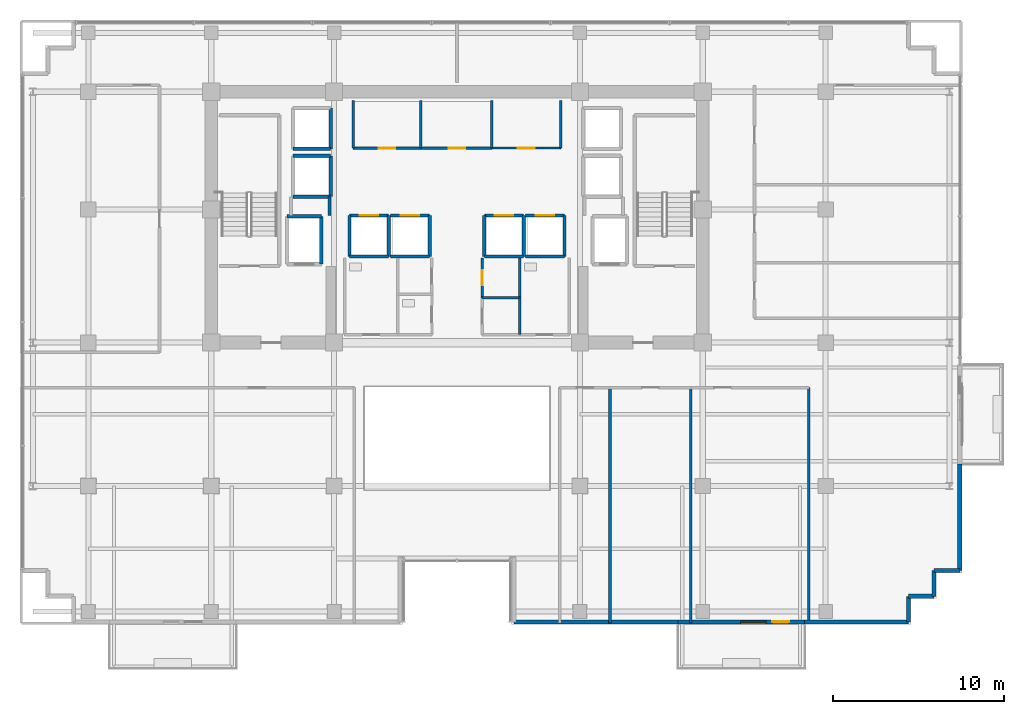
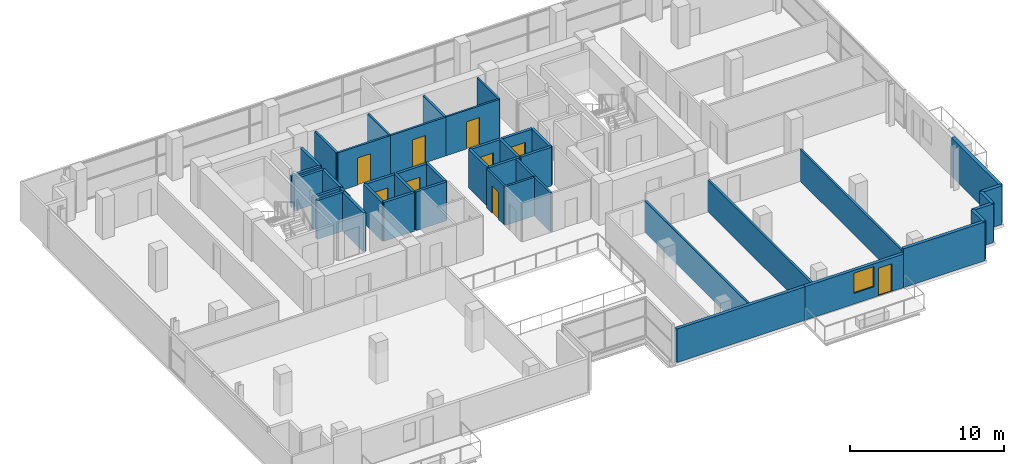
# One storey, part 18 of 24: 44 walls, 9 doors, 1 window, 10 openings.
"""IFC4 building model written with IfcOpenShell, lengths in metres."""

from ifc_helpers import new_model, si_unit, direction, frame, frame_2d, origin, place, context, subcontext, project, spatial, rectangle, extrude, source, transform, mapped, material, layer, layer_set, type_object, element, fill, save


model = new_model("IFC4")

# Units and contexts
model_context = context("Model", 3, precision=1e-05, world=origin(), true_north=direction((0.0, 1.0)))
body_context = subcontext(model_context, "Body", "Model", "MODEL_VIEW")
ifc_project = project(units=[si_unit("LENGTHUNIT", "METRE"), si_unit("AREAUNIT", "SQUARE_METRE"), si_unit("VOLUMEUNIT", "CUBIC_METRE"), si_unit("PLANEANGLEUNIT", "RADIAN"), si_unit("MASSUNIT", "GRAM", prefix="KILO")], contexts=[model_context])

# Site, building, storey
site_placement = place(None, origin())
site = spatial("IfcSite", under=ifc_project, at=site_placement, CompositionType="ELEMENT")
building_placement = place(site_placement, origin())
building = spatial("IfcBuilding", under=site, at=building_placement, Name="Zarnakvel Exchange Tower", CompositionType="ELEMENT")
storey_placement = place(building_placement, frame((0.0, 0.0, 133.0)))
storey = spatial("IfcBuildingStorey", under=building, at=storey_placement, Name="L37", CompositionType="ELEMENT", Elevation=133.0)

# Wall, openings, door, window
ifc_material_1 = material(Name="Precast concrete C40/50", Category="concrete")
ifc_layer_1 = layer(ifc_material_1, 0.239990234375)
ifc_layer_set_1 = layer_set([ifc_layer_1], Name="Precast concrete C40/50")
wall_type_1 = type_object("IfcWallType", Name="EW-02", PredefinedType="SOLIDWALL", material=ifc_layer_set_1)
wall_1_placement = place(storey_placement, frame((20.35009765625, -17.56005859375, 0.0), z_axis=(0.0, 0.0, 1.0), x_axis=(-1.0, 0.0, 0.0)))
wall_1 = element("IfcWall", 1, at=wall_1_placement, inside=storey, type_object=wall_type_1, Name="L37 Exterior Precast Spandrel Wall EW-BAL-L37-SE (EW-02)", PredefinedType="SOLIDWALL", context=body_context, shape_type="SweptSolid", body=[
    extrude(rectangle(XDim=7.400146484375, YDim=0.239990234375, at=frame_2d((3.7001953125, 0.0))), origin(), (0.0, 0.0, 1.0), 2.6650390625),
])
opening_1_placement = place(wall_1_placement, frame((0.887939453125, 0.0, 0.0)))
opening_1 = element("IfcOpeningElement", 2, at=opening_1_placement, cuts=wall_1, Name="Opening BD-L37-02", PredefinedType="OPENING", context=body_context, shape_type="SweptSolid", body=[
    extrude(rectangle(XDim=1.0, YDim=2.199951171875, at=frame_2d((0.5, 1.10009765625))), frame((0.0, 0.1298828125, 0.0), z_axis=(0.0, -1.0, 0.0), x_axis=(1.0, 0.0, 0.0)), (0.0, 0.0, 1.0), 0.260009765625),
])
opening_2_placement = place(wall_1_placement, frame((2.238037109375, 0.0, 0.85009765625)))
opening_2 = element("IfcOpeningElement", 3, at=opening_2_placement, cuts=wall_1, Name="Opening WN-03", PredefinedType="OPENING", context=body_context, shape_type="SweptSolid", body=[
    extrude(rectangle(XDim=1.5, YDim=1.60009765625, at=frame_2d((0.75, 0.800048828125))), frame((0.0, 0.1298828125, 0.0), z_axis=(0.0, -1.0, 0.0), x_axis=(1.0, 0.0, 0.0)), (0.0, 0.0, 1.0), 0.260009765625),
])
ifc_material_2 = material(Name="Architectural Bronze Anodised Aluminium", Category="aluminium")
door_type_1 = type_object("IfcDoorType", Name="DT-09", OperationType="NOTDEFINED", PredefinedType="DOOR", material=ifc_material_2)
shared_shape_1 = source(origin(), body_context, "Body", "SweptSolid", [
    extrude(rectangle(XDim=1.0, YDim=2.199951171875, at=frame_2d((0.5, 1.10009765625))), frame((0.0, 0.02490234375, 0.0), z_axis=(0.0, -1.0, 0.0), x_axis=(1.0, 0.0, 0.0)), (0.0, 0.0, 1.0), 0.050048828125),
])
door_1_placement = place(opening_1_placement, origin())
door_1 = element("IfcDoor", 4, at=door_1_placement, inside=storey, type_object=door_type_1, Name="L37 Planted Loggia Balcony Door BD-L37-02", OperationType="SINGLE_SWING_RIGHT", OverallHeight=2.199951171875, OverallWidth=1.0, PredefinedType="DOOR", context=body_context, shape_type="MappedRepresentation", body=[
    mapped(shared_shape_1, transform((0.0, 0.0, 0.0), x_axis=(1.0, 0.0, 0.0), y_axis=(0.0, 1.0, 0.0), z_axis=(0.0, 0.0, 1.0), scale=1.0)),
])
fill(opening_1, door_1)
ifc_material_3 = material(Name="Double Low-E Laminated Vision Glass", Category="glass")
window_type = type_object("IfcWindowType", Name="WN-03", PartitioningType="SINGLE_PANEL", PredefinedType="WINDOW", material=ifc_material_3)
shared_shape_2 = source(origin(), body_context, "Body", "SweptSolid", [
    extrude(rectangle(XDim=1.5, YDim=1.60009765625, at=frame_2d((0.75, 0.800048828125))), frame((0.0, 0.030029296875, 0.0), z_axis=(0.0, -1.0, 0.0), x_axis=(1.0, 0.0, 0.0)), (0.0, 0.0, 1.0), 0.06005859375),
])
window_placement = place(opening_2_placement, origin())
window = element("IfcWindow", 5, at=window_placement, inside=storey, type_object=window_type, Name="L37 Loggia Daylight Window (WN-03)", OverallHeight=1.60009765625, OverallWidth=1.5, PartitioningType="SINGLE_PANEL", PredefinedType="WINDOW", context=body_context, shape_type="MappedRepresentation", body=[
    mapped(shared_shape_2, transform((0.0, 0.0, 0.0), x_axis=(1.0, 0.0, 0.0), y_axis=(0.0, 1.0, 0.0), z_axis=(0.0, 0.0, 1.0), scale=1.0)),
])
fill(opening_2, window)

# Walls
wall_2_placement = place(storey_placement, frame((29.4599609375, -14.56005859375, 0.0), z_axis=(0.0, 0.0, 1.0), x_axis=(0.0, 1.0, 0.0)))
element("IfcWall", 6, at=wall_2_placement, inside=storey, type_object=wall_type_1, Name="L37 Exterior Precast Spandrel Wall EWC-L37-10 (EW-02)", PredefinedType="SOLIDWALL", context=body_context, shape_type="SweptSolid", body=[
    extrude(rectangle(XDim=6.260009765625, YDim=0.239990234375, at=frame_2d((3.1298828125, 0.0))), origin(), (0.0, 0.0, 1.0), 3.074951171875),
])
for number, where, z_axis, x_axis, name in (
    (7, (27.9599609375, -14.56005859375, 0.0), (0.0, 0.0, 1.0), (1.0, 0.0, 0.0), "L37 Exterior Precast Spandrel Wall EWC-L37-11 (EW-02)"),
    (8, (27.9599609375, -16.06005859375, 0.0), (0.0, 0.0, 1.0), (0.0, 1.0, 0.0), "L37 Exterior Precast Spandrel Wall EWC-L37-12 (EW-02)"),
    (9, (26.4599609375, -16.06005859375, 0.0), (0.0, 0.0, 1.0), (1.0, 0.0, 0.0), "L37 Exterior Precast Spandrel Wall EWC-L37-13 (EW-02)"),
    (10, (26.4599609375, -17.56005859375, 0.0), (0.0, 0.0, 1.0), (0.0, 1.0, 0.0), "L37 Exterior Precast Spandrel Wall EWC-L37-14 (EW-02)"),
):
    element("IfcWall", number, at=place(storey_placement, frame(where, z_axis=z_axis, x_axis=x_axis)), inside=storey, type_object=wall_type_1, Name=name, PredefinedType="SOLIDWALL", context=body_context, shape_type="SweptSolid", body=[
        extrude(rectangle(XDim=1.5, YDim=0.239990234375, at=frame_2d((0.75, 0.0))), origin(), (0.0, 0.0, 1.0), 3.074951171875),
    ])
wall_3_placement = place(storey_placement, frame((20.35009765625, -17.56005859375, 0.0), z_axis=(0.0, 0.0, 1.0), x_axis=(1.0, 0.0, 0.0)))
element("IfcWall", 11, at=wall_3_placement, inside=storey, type_object=wall_type_1, Name="L37 Exterior Precast Spandrel Wall EWC-L37-15 (EW-02)", PredefinedType="SOLIDWALL", context=body_context, shape_type="SweptSolid", body=[
    extrude(rectangle(XDim=6.10986328125, YDim=0.239990234375, at=frame_2d((3.054931640625, 0.0))), origin(), (0.0, 0.0, 1.0), 3.074951171875),
])
wall_4_placement = place(storey_placement, frame((3.340087890625, -17.56005859375, 0.0), z_axis=(0.0, 0.0, 1.0), x_axis=(1.0, 0.0, 0.0)))
element("IfcWall", 12, at=wall_4_placement, inside=storey, type_object=wall_type_1, Name="L37 Exterior Precast Spandrel Wall EWC-L37-16 (EW-02)", PredefinedType="SOLIDWALL", context=body_context, shape_type="SweptSolid", body=[
    extrude(rectangle(XDim=9.60986328125, YDim=0.239990234375, at=frame_2d((4.804931640625, 0.0))), origin(), (0.0, 0.0, 1.0), 2.6650390625),
])

# Wall, opening, door
ifc_material_4 = material(Name="Fire-Rated Gypsum Stud Partition", Category="gypsum")
ifc_layer_2 = layer(ifc_material_4, 0.14990234375)
ifc_layer_set_2 = layer_set([ifc_layer_2], Name="Fire-Rated Gypsum Stud Partition")
wall_type_2 = type_object("IfcWallType", Name="PT-01", PredefinedType="PARTITIONING", material=ifc_layer_set_2)
wall_5_placement = place(storey_placement, frame((-2.1201171875, 10.199951171875, 0.0), z_axis=(0.0, 0.0, 1.0), x_axis=(-1.0, 0.0, 0.0)))
wall_5 = element("IfcWall", 13, at=wall_5_placement, inside=storey, type_object=wall_type_2, Name="L37 Partition Wall PWALL-L37-011 (PT-01)", PredefinedType="PARTITIONING", context=body_context, shape_type="SweptSolid", body=[
    extrude(rectangle(XDim=3.9599609375, YDim=0.14990234375, at=frame_2d((1.97998046875, 0.0))), origin(), (0.0, 0.0, 1.0), 3.074951171875),
])
opening_3_placement = place(wall_5_placement, frame((1.489990234375, 0.0, 0.0)))
opening_3 = element("IfcOpeningElement", 14, at=opening_3_placement, cuts=wall_5, Name="Opening D-L37-05", PredefinedType="OPENING", context=body_context, shape_type="SweptSolid", body=[
    extrude(rectangle(XDim=0.97998046875, YDim=2.14990234375, at=frame_2d((0.489990234375, 1.074951171875))), frame((0.0, 0.0849609375, 0.0), z_axis=(0.0, -1.0, 0.0), x_axis=(1.0, 0.0, 0.0)), (0.0, 0.0, 1.0), 0.169921875),
])
ifc_material_5 = material(Name="Timber Acoustic Veneer", Category="wood")
door_type_2 = type_object("IfcDoorType", Name="DT-05", OperationType="NOTDEFINED", PredefinedType="DOOR", material=ifc_material_5)
shared_shape_3 = source(origin(), body_context, "Body", "SweptSolid", [
    extrude(rectangle(XDim=0.97998046875, YDim=2.14990234375, at=frame_2d((0.489990234375, 1.074951171875))), frame((0.0, 0.02490234375, 0.0), z_axis=(0.0, -1.0, 0.0), x_axis=(1.0, 0.0, 0.0)), (0.0, 0.0, 1.0), 0.050048828125),
])
door_2_placement = place(opening_3_placement, origin())
door_2 = element("IfcDoor", 15, at=door_2_placement, inside=storey, type_object=door_type_2, Name="L37 Clearing Records Office Door D-L37-05", OperationType="SINGLE_SWING_LEFT", OverallHeight=2.14990234375, OverallWidth=0.97998046875, PredefinedType="DOOR", context=body_context, shape_type="MappedRepresentation", body=[
    mapped(shared_shape_3, transform((0.0, 0.0, 0.0), x_axis=(1.0, 0.0, 0.0), y_axis=(0.0, 1.0, 0.0), z_axis=(0.0, 0.0, 1.0), scale=1.0)),
])
fill(opening_3, door_2)

# Walls
for number, where, z_axis, x_axis, name in (
    (16, (-6.080078125, 10.199951171875, 0.0), (0.0, 0.0, 1.0), (0.0, 1.0, 0.0), "L37 Partition Wall PWALL-L37-012 (PT-01)"),
    (17, (-2.1201171875, 13.0, 0.0), (0.0, 0.0, 1.0), (0.0, -1.0, 0.0), "L37 Partition Wall PWALL-L37-013 (PT-01)"),
):
    element("IfcWall", number, at=place(storey_placement, frame(where, z_axis=z_axis, x_axis=x_axis)), inside=storey, type_object=wall_type_2, Name=name, PredefinedType="PARTITIONING", context=body_context, shape_type="SweptSolid", body=[
        extrude(rectangle(XDim=2.800048828125, YDim=0.14990234375, at=frame_2d((1.39990234375, 0.0))), origin(), (0.0, 0.0, 1.0), 3.074951171875),
    ])

# Wall, opening, door
wall_6_placement = place(storey_placement, frame((2.0400390625, 10.199951171875, 0.0), z_axis=(0.0, 0.0, 1.0), x_axis=(-1.0, 0.0, 0.0)))
wall_6 = element("IfcWall", 18, at=wall_6_placement, inside=storey, type_object=wall_type_2, Name="L37 Partition Wall PWALL-L37-014 (PT-01)", PredefinedType="PARTITIONING", context=body_context, shape_type="SweptSolid", body=[
    extrude(rectangle(XDim=4.16015625, YDim=0.14990234375, at=frame_2d((2.080078125, 0.0))), origin(), (0.0, 0.0, 1.0), 3.074951171875),
])
opening_4_placement = place(wall_6_placement, frame((1.550048828125, 0.0, 0.0)))
opening_4 = element("IfcOpeningElement", 19, at=opening_4_placement, cuts=wall_6, Name="Opening D-L37-06", PredefinedType="OPENING", context=body_context, shape_type="SweptSolid", body=[
    extrude(rectangle(XDim=0.97998046875, YDim=2.14990234375, at=frame_2d((0.489990234375, 1.074951171875))), frame((0.0, 0.0849609375, 0.0), z_axis=(0.0, -1.0, 0.0), x_axis=(1.0, 0.0, 0.0)), (0.0, 0.0, 1.0), 0.169921875),
])
door_3_placement = place(opening_4_placement, origin())
door_3 = element("IfcDoor", 20, at=door_3_placement, inside=storey, type_object=door_type_2, Name="L37 Brokerage Filing Room Door D-L37-06", OperationType="SINGLE_SWING_RIGHT", OverallHeight=2.14990234375, OverallWidth=0.97998046875, PredefinedType="DOOR", context=body_context, shape_type="MappedRepresentation", body=[
    mapped(shared_shape_3, transform((0.0, 0.0, 0.0), x_axis=(1.0, 0.0, 0.0), y_axis=(0.0, 1.0, 0.0), z_axis=(0.0, 0.0, 1.0), scale=1.0)),
])
fill(opening_4, door_3)

# Walls
wall_7_placement = place(storey_placement, frame((2.0400390625, 13.0, 0.0), z_axis=(0.0, 0.0, 1.0), x_axis=(0.0, -1.0, 0.0)))
element("IfcWall", 21, at=wall_7_placement, inside=storey, type_object=wall_type_2, Name="L37 Partition Wall PWALL-L37-015 (PT-01)", PredefinedType="PARTITIONING", context=body_context, shape_type="SweptSolid", body=[
    extrude(rectangle(XDim=2.800048828125, YDim=0.14990234375, at=frame_2d((1.39990234375, 0.0))), origin(), (0.0, 0.0, 1.0), 3.074951171875),
])
wall_8_placement = place(storey_placement, frame((1.469970703125, 1.429931640625, 0.0), z_axis=(0.0, 0.0, 1.0), x_axis=(1.0, 0.0, 0.0)))
element("IfcWall", 22, at=wall_8_placement, inside=storey, type_object=wall_type_2, Name="L37 Partition Wall PWALL-L37-026 (PT-01)", PredefinedType="PARTITIONING", context=body_context, shape_type="SweptSolid", body=[
    extrude(rectangle(XDim=2.2099609375, YDim=0.14990234375, at=frame_2d((1.10498046875, 0.0))), origin(), (0.0, 0.0, 1.0), 3.074951171875),
])
wall_9_placement = place(storey_placement, frame((3.679931640625, 1.429931640625, 0.0), z_axis=(0.0, 0.0, 1.0), x_axis=(0.0, -1.0, 0.0)))
element("IfcWall", 23, at=wall_9_placement, inside=storey, type_object=wall_type_2, Name="L37 Partition Wall PWALL-L37-028 (PT-01)", PredefinedType="PARTITIONING", context=body_context, shape_type="SweptSolid", body=[
    extrude(rectangle(XDim=2.159912109375, YDim=0.14990234375, at=frame_2d((1.080078125, 0.0))), origin(), (0.0, 0.0, 1.0), 3.074951171875),
])

# Wall, opening, door
wall_10_placement = place(storey_placement, frame((1.469970703125, 1.429931640625, 0.0), z_axis=(0.0, 0.0, 1.0), x_axis=(0.0, 1.0, 0.0)))
wall_10 = element("IfcWall", 24, at=wall_10_placement, inside=storey, type_object=wall_type_2, Name="L37 Partition Wall PWALL-L37-029 (PT-01)", PredefinedType="PARTITIONING", context=body_context, shape_type="SweptSolid", body=[
    extrude(rectangle(XDim=2.330078125, YDim=0.14990234375, at=frame_2d((1.1650390625, 0.0))), origin(), (0.0, 0.0, 1.0), 3.074951171875),
])
opening_5_placement = place(wall_10_placement, frame((0.72998046875, 0.0, 0.0)))
opening_5 = element("IfcOpeningElement", 25, at=opening_5_placement, cuts=wall_10, Name="Opening D-L37-12", PredefinedType="OPENING", context=body_context, shape_type="SweptSolid", body=[
    extrude(rectangle(XDim=0.8798828125, YDim=2.14990234375, at=frame_2d((0.43994140625, 1.074951171875))), frame((0.0, 0.0849609375, 0.0), z_axis=(0.0, -1.0, 0.0), x_axis=(1.0, 0.0, 0.0)), (0.0, 0.0, 1.0), 0.169921875),
])
shared_shape_4 = source(origin(), body_context, "Body", "SweptSolid", [
    extrude(rectangle(XDim=0.8798828125, YDim=2.14990234375, at=frame_2d((0.43994140625, 1.074951171875))), frame((0.0, 0.02490234375, 0.0), z_axis=(0.0, -1.0, 0.0), x_axis=(1.0, 0.0, 0.0)), (0.0, 0.0, 1.0), 0.050048828125),
])
door_4_placement = place(opening_5_placement, origin())
door_4 = element("IfcDoor", 26, at=door_4_placement, inside=storey, type_object=door_type_2, Name="L37 Stationery Store Door D-L37-12", OperationType="SINGLE_SWING_RIGHT", OverallHeight=2.14990234375, OverallWidth=0.8798828125, PredefinedType="DOOR", context=body_context, shape_type="MappedRepresentation", body=[
    mapped(shared_shape_4, transform((0.0, 0.0, 0.0), x_axis=(1.0, 0.0, 0.0), y_axis=(0.0, 1.0, 0.0), z_axis=(0.0, 0.0, 1.0), scale=1.0)),
])
fill(opening_5, door_4)

# Walls
wall_11_placement = place(storey_placement, frame((3.679931640625, 3.760009765625, 0.0), z_axis=(0.0, 0.0, 1.0), x_axis=(0.0, -1.0, 0.0)))
element("IfcWall", 27, at=wall_11_placement, inside=storey, type_object=wall_type_2, Name="L37 Partition Wall PWALL-L37-030 (PT-01)", PredefinedType="PARTITIONING", context=body_context, shape_type="SweptSolid", body=[
    extrude(rectangle(XDim=2.330078125, YDim=0.14990234375, at=frame_2d((1.1650390625, 0.0))), origin(), (0.0, 0.0, 1.0), 3.074951171875),
])
for number, where, z_axis, x_axis, name in (
    (28, (8.964111328125, -3.830078125, 0.0), (0.0, 0.0, 1.0), (0.0, -1.0, 0.0), "L37 Partition Wall PWALL-L37-040 (PT-01)"),
    (29, (13.6982421875, -3.830078125, 0.0), (0.0, 0.0, 1.0), (0.0, -1.0, 0.0), "L37 Partition Wall PWALL-L37-043 (PT-01)"),
    (30, (20.619873046875, -3.830078125, 0.0), (0.0, 0.0, 1.0), (0.0, -1.0, 0.0), "L37 Partition Wall PWALL-L37-046 (PT-01)"),
):
    element("IfcWall", number, at=place(storey_placement, frame(where, z_axis=z_axis, x_axis=x_axis)), inside=storey, type_object=wall_type_2, Name=name, PredefinedType="PARTITIONING", context=body_context, shape_type="SweptSolid", body=[
        extrude(rectangle(XDim=13.7998046875, YDim=0.14990234375, at=frame_2d((6.89990234375, 0.0))), origin(), (0.0, 0.0, 1.0), 2.514892578125),
    ])
ifc_layer_3 = layer(ifc_material_4, 0.179931640625)
ifc_layer_set_3 = layer_set([ifc_layer_3], Name="Fire-Rated Gypsum Stud Partition")
wall_type_3 = type_object("IfcWallType", Name="PT-02", PredefinedType="PARTITIONING", material=ifc_layer_set_3)
wall_12_placement = place(storey_placement, frame((-7.469970703125, 7.330078125, 0.0), z_axis=(0.0, 0.0, 1.0), x_axis=(0.0, -1.0, 0.0)))
element("IfcWall", 31, at=wall_12_placement, inside=storey, type_object=wall_type_3, Name="L37 Partition Wall PWALL-L37-008 (PT-02)", PredefinedType="PARTITIONING", context=body_context, shape_type="SweptSolid", body=[
    extrude(rectangle(XDim=1.090087890625, YDim=0.179931640625, at=frame_2d((0.544921875, 0.0))), origin(), (0.0, 0.0, 1.0), 2.514892578125),
])

# Wall, opening, door
ifc_material_6 = material(Name="Moisture-Resistant Tile-Faced Partition", Category="gypsum")
ifc_layer_4 = layer(ifc_material_6, 0.135009765625)
ifc_layer_set_4 = layer_set([ifc_layer_4], Name="Moisture-Resistant Tile-Faced Partition")
wall_type_4 = type_object("IfcWallType", Name="PT-03", PredefinedType="PARTITIONING", material=ifc_layer_set_4)
wall_13_placement = place(storey_placement, frame((6.080078125, 10.199951171875, 0.0), z_axis=(0.0, 0.0, 1.0), x_axis=(-1.0, 0.0, 0.0)))
wall_13 = element("IfcWall", 32, at=wall_13_placement, inside=storey, type_object=wall_type_4, Name="L37 Partition Wall PWALL-L37-016 (PT-03)", PredefinedType="PARTITIONING", context=body_context, shape_type="SweptSolid", body=[
    extrude(rectangle(XDim=4.0400390625, YDim=0.135009765625, at=frame_2d((2.02001953125, 0.0))), origin(), (0.0, 0.0, 1.0), 3.074951171875),
])
opening_6_placement = place(wall_13_placement, frame((1.530029296875, 0.0, 0.0)))
opening_6 = element("IfcOpeningElement", 33, at=opening_6_placement, cuts=wall_13, Name="Opening D-L37-07", PredefinedType="OPENING", context=body_context, shape_type="SweptSolid", body=[
    extrude(rectangle(XDim=0.97998046875, YDim=2.14990234375, at=frame_2d((0.489990234375, 1.074951171875))), frame((0.0, 0.077392578125, 0.0), z_axis=(0.0, -1.0, 0.0), x_axis=(1.0, 0.0, 0.0)), (0.0, 0.0, 1.0), 0.155029296875),
])
door_5_placement = place(opening_6_placement, origin())
door_5 = element("IfcDoor", 34, at=door_5_placement, inside=storey, type_object=door_type_2, Name="L37 Executive Tea Pantry Door D-L37-07", OperationType="SINGLE_SWING_LEFT", OverallHeight=2.14990234375, OverallWidth=0.97998046875, PredefinedType="DOOR", context=body_context, shape_type="MappedRepresentation", body=[
    mapped(shared_shape_3, transform((0.0, 0.0, 0.0), x_axis=(1.0, 0.0, 0.0), y_axis=(0.0, 1.0, 0.0), z_axis=(0.0, 0.0, 1.0), scale=1.0)),
])
fill(opening_6, door_5)

# Walls
wall_14_placement = place(storey_placement, frame((6.080078125, 13.0, 0.0), z_axis=(0.0, 0.0, 1.0), x_axis=(0.0, -1.0, 0.0)))
element("IfcWall", 35, at=wall_14_placement, inside=storey, type_object=wall_type_4, Name="L37 Partition Wall PWALL-L37-017 (PT-03)", PredefinedType="PARTITIONING", context=body_context, shape_type="SweptSolid", body=[
    extrude(rectangle(XDim=2.800048828125, YDim=0.135009765625, at=frame_2d((1.39990234375, 0.0))), origin(), (0.0, 0.0, 1.0), 3.074951171875),
])
ifc_material_7 = material(Name="Concrete C40/50", Category="concrete")
ifc_layer_5 = layer(ifc_material_7, 0.199951171875)
ifc_layer_set_5 = layer_set([ifc_layer_5], Name="Concrete C40/50")
wall_type_5 = type_object("IfcWallType", Name="SW-01", PredefinedType="SOLIDWALL", material=ifc_layer_set_5)
wall_15_placement = place(storey_placement, frame((-9.949951171875, 6.199951171875, 0.0), z_axis=(0.0, 0.0, 1.0), x_axis=(1.0, 0.0, 0.0)))
element("IfcWall", 36, at=wall_15_placement, inside=storey, type_object=wall_type_5, Name="L37 FL-01 Hoistway Wall North", PredefinedType="SOLIDWALL", context=body_context, shape_type="SweptSolid", body=[
    extrude(rectangle(XDim=2.0, YDim=0.199951171875, at=frame_2d((1.0, 0.0))), origin(), (0.0, 0.0, 1.0), 3.074951171875),
])
wall_16_placement = place(storey_placement, frame((-7.949951171875, 6.199951171875, 0.0), z_axis=(0.0, 0.0, 1.0), x_axis=(0.0, -1.0, 0.0)))
element("IfcWall", 37, at=wall_16_placement, inside=storey, type_object=wall_type_5, Name="L37 FL-01 Hoistway Wall East", PredefinedType="SOLIDWALL", context=body_context, shape_type="SweptSolid", body=[
    extrude(rectangle(XDim=2.800048828125, YDim=0.199951171875, at=frame_2d((1.39990234375, 0.0))), origin(), (0.0, 0.0, 1.0), 3.074951171875),
])
wall_17_placement = place(storey_placement, frame((-4.0, 3.85009765625, 0.0), z_axis=(0.0, 0.0, 1.0), x_axis=(-1.0, 0.0, 0.0)))
element("IfcWall", 38, at=wall_17_placement, inside=storey, type_object=wall_type_5, Name="L37 PL-05 Hoistway Wall South", PredefinedType="SOLIDWALL", context=body_context, shape_type="SweptSolid", body=[
    extrude(rectangle(XDim=2.300048828125, YDim=0.199951171875, at=frame_2d((1.14990234375, 0.0))), origin(), (0.0, 0.0, 1.0), 3.074951171875),
])

# Wall, opening, door
wall_18_placement = place(storey_placement, frame((-6.300048828125, 6.25, 0.0), z_axis=(0.0, 0.0, 1.0), x_axis=(1.0, 0.0, 0.0)))
wall_18 = element("IfcWall", 39, at=wall_18_placement, inside=storey, type_object=wall_type_5, Name="L37 PL-05 Hoistway Wall North", PredefinedType="SOLIDWALL", context=body_context, shape_type="SweptSolid", body=[
    extrude(rectangle(XDim=2.300048828125, YDim=0.199951171875, at=frame_2d((1.14990234375, 0.0))), origin(), (0.0, 0.0, 1.0), 3.074951171875),
])
opening_7_placement = place(wall_18_placement, frame((0.60009765625, 0.0, 0.0)))
opening_7 = element("IfcOpeningElement", 40, at=opening_7_placement, cuts=wall_18, Name="Opening LD-PL-05-L37", PredefinedType="OPENING", context=body_context, shape_type="SweptSolid", body=[
    extrude(rectangle(XDim=1.10009765625, YDim=2.199951171875, at=frame_2d((0.550048828125, 1.10009765625))), frame((0.0, 0.10986328125, 0.0), z_axis=(0.0, -1.0, 0.0), x_axis=(1.0, 0.0, 0.0)), (0.0, 0.0, 1.0), 0.219970703125),
])
door_type_3 = type_object("IfcDoorType", Name="LDT-02", OperationType="NOTDEFINED", PredefinedType="DOOR", material=ifc_material_2)
shared_shape_5 = source(origin(), body_context, "Body", "SweptSolid", [
    extrude(rectangle(XDim=1.10009765625, YDim=2.199951171875, at=frame_2d((0.550048828125, 1.10009765625))), frame((0.0, 0.02490234375, 0.0), z_axis=(0.0, -1.0, 0.0), x_axis=(1.0, 0.0, 0.0)), (0.0, 0.0, 1.0), 0.050048828125),
])
door_6_placement = place(opening_7_placement, origin())
door_6 = element("IfcDoor", 41, at=door_6_placement, inside=storey, type_object=door_type_3, Name="L37 PL-05 Lift Landing Door LD-PL-05-L37", OperationType="DOUBLE_DOOR_SLIDING", OverallHeight=2.199951171875, OverallWidth=1.10009765625, PredefinedType="DOOR", context=body_context, shape_type="MappedRepresentation", body=[
    mapped(shared_shape_5, transform((0.0, 0.0, 0.0), x_axis=(1.0, 0.0, 0.0), y_axis=(0.0, 1.0, 0.0), z_axis=(0.0, 0.0, 1.0), scale=1.0)),
])
fill(opening_7, door_6)

# Walls
for number, where, z_axis, x_axis, name in (
    (42, (-6.300048828125, 3.85009765625, 0.0), (0.0, 0.0, 1.0), (0.0, 1.0, 0.0), "L37 PL-05 Hoistway Wall West"),
    (43, (-4.0, 6.25, 0.0), (0.0, 0.0, 1.0), (0.0, -1.0, 0.0), "L37 PL-05 Hoistway Wall East"),
):
    element("IfcWall", number, at=place(storey_placement, frame(where, z_axis=z_axis, x_axis=x_axis)), inside=storey, type_object=wall_type_5, Name=name, PredefinedType="SOLIDWALL", context=body_context, shape_type="SweptSolid", body=[
        extrude(rectangle(XDim=2.39990234375, YDim=0.199951171875, at=frame_2d((1.199951171875, 0.0))), origin(), (0.0, 0.0, 1.0), 3.074951171875),
    ])
wall_19_placement = place(storey_placement, frame((-1.60009765625, 3.85009765625, 0.0), z_axis=(0.0, 0.0, 1.0), x_axis=(-1.0, 0.0, 0.0)))
element("IfcWall", 44, at=wall_19_placement, inside=storey, type_object=wall_type_5, Name="L37 PL-06 Hoistway Wall South", PredefinedType="SOLIDWALL", context=body_context, shape_type="SweptSolid", body=[
    extrude(rectangle(XDim=2.2998046875, YDim=0.199951171875, at=frame_2d((1.14990234375, 0.0))), origin(), (0.0, 0.0, 1.0), 3.074951171875),
])

# Wall, opening, door
wall_20_placement = place(storey_placement, frame((-3.89990234375, 6.25, 0.0), z_axis=(0.0, 0.0, 1.0), x_axis=(1.0, 0.0, 0.0)))
wall_20 = element("IfcWall", 45, at=wall_20_placement, inside=storey, type_object=wall_type_5, Name="L37 PL-06 Hoistway Wall North", PredefinedType="SOLIDWALL", context=body_context, shape_type="SweptSolid", body=[
    extrude(rectangle(XDim=2.2998046875, YDim=0.199951171875, at=frame_2d((1.14990234375, 0.0))), origin(), (0.0, 0.0, 1.0), 3.074951171875),
])
opening_8_placement = place(wall_20_placement, frame((0.60009765625, 0.0, 0.0)))
opening_8 = element("IfcOpeningElement", 46, at=opening_8_placement, cuts=wall_20, Name="Opening LD-PL-06-L37", PredefinedType="OPENING", context=body_context, shape_type="SweptSolid", body=[
    extrude(rectangle(XDim=1.10009765625, YDim=2.199951171875, at=frame_2d((0.550048828125, 1.10009765625))), frame((0.0, 0.10986328125, 0.0), z_axis=(0.0, -1.0, 0.0), x_axis=(1.0, 0.0, 0.0)), (0.0, 0.0, 1.0), 0.219970703125),
])
door_7_placement = place(opening_8_placement, origin())
door_7 = element("IfcDoor", 47, at=door_7_placement, inside=storey, type_object=door_type_3, Name="L37 PL-06 Lift Landing Door LD-PL-06-L37", OperationType="DOUBLE_DOOR_SLIDING", OverallHeight=2.199951171875, OverallWidth=1.10009765625, PredefinedType="DOOR", context=body_context, shape_type="MappedRepresentation", body=[
    mapped(shared_shape_5, transform((0.0, 0.0, 0.0), x_axis=(1.0, 0.0, 0.0), y_axis=(0.0, 1.0, 0.0), z_axis=(0.0, 0.0, 1.0), scale=1.0)),
])
fill(opening_8, door_7)

# Walls
wall_21_placement = place(storey_placement, frame((-1.60009765625, 6.25, 0.0), z_axis=(0.0, 0.0, 1.0), x_axis=(0.0, -1.0, 0.0)))
element("IfcWall", 48, at=wall_21_placement, inside=storey, type_object=wall_type_5, Name="L37 PL-06 Hoistway Wall East", PredefinedType="SOLIDWALL", context=body_context, shape_type="SweptSolid", body=[
    extrude(rectangle(XDim=2.39990234375, YDim=0.199951171875, at=frame_2d((1.199951171875, 0.0))), origin(), (0.0, 0.0, 1.0), 3.074951171875),
])
wall_22_placement = place(storey_placement, frame((3.89990234375, 3.85009765625, 0.0), z_axis=(0.0, 0.0, 1.0), x_axis=(-1.0, 0.0, 0.0)))
element("IfcWall", 49, at=wall_22_placement, inside=storey, type_object=wall_type_5, Name="L37 PL-07 Hoistway Wall South", PredefinedType="SOLIDWALL", context=body_context, shape_type="SweptSolid", body=[
    extrude(rectangle(XDim=2.2998046875, YDim=0.199951171875, at=frame_2d((1.14990234375, 0.0))), origin(), (0.0, 0.0, 1.0), 3.074951171875),
])

# Wall, opening, door
wall_23_placement = place(storey_placement, frame((1.60009765625, 6.25, 0.0), z_axis=(0.0, 0.0, 1.0), x_axis=(1.0, 0.0, 0.0)))
wall_23 = element("IfcWall", 50, at=wall_23_placement, inside=storey, type_object=wall_type_5, Name="L37 PL-07 Hoistway Wall North", PredefinedType="SOLIDWALL", context=body_context, shape_type="SweptSolid", body=[
    extrude(rectangle(XDim=2.2998046875, YDim=0.199951171875, at=frame_2d((1.14990234375, 0.0))), origin(), (0.0, 0.0, 1.0), 3.074951171875),
])
opening_9_placement = place(wall_23_placement, frame((0.60009765625, 0.0, 0.0)))
opening_9 = element("IfcOpeningElement", 51, at=opening_9_placement, cuts=wall_23, Name="Opening LD-PL-07-L37", PredefinedType="OPENING", context=body_context, shape_type="SweptSolid", body=[
    extrude(rectangle(XDim=1.10009765625, YDim=2.199951171875, at=frame_2d((0.550048828125, 1.10009765625))), frame((0.0, 0.10986328125, 0.0), z_axis=(0.0, -1.0, 0.0), x_axis=(1.0, 0.0, 0.0)), (0.0, 0.0, 1.0), 0.219970703125),
])
door_8_placement = place(opening_9_placement, origin())
door_8 = element("IfcDoor", 52, at=door_8_placement, inside=storey, type_object=door_type_3, Name="L37 PL-07 Lift Landing Door LD-PL-07-L37", OperationType="DOUBLE_DOOR_SLIDING", OverallHeight=2.199951171875, OverallWidth=1.10009765625, PredefinedType="DOOR", context=body_context, shape_type="MappedRepresentation", body=[
    mapped(shared_shape_5, transform((0.0, 0.0, 0.0), x_axis=(1.0, 0.0, 0.0), y_axis=(0.0, 1.0, 0.0), z_axis=(0.0, 0.0, 1.0), scale=1.0)),
])
fill(opening_9, door_8)

# Walls
for number, where, z_axis, x_axis, name in (
    (53, (1.60009765625, 3.85009765625, 0.0), (0.0, 0.0, 1.0), (0.0, 1.0, 0.0), "L37 PL-07 Hoistway Wall West"),
    (54, (3.89990234375, 6.25, 0.0), (0.0, 0.0, 1.0), (0.0, -1.0, 0.0), "L37 PL-07 Hoistway Wall East"),
):
    element("IfcWall", number, at=place(storey_placement, frame(where, z_axis=z_axis, x_axis=x_axis)), inside=storey, type_object=wall_type_5, Name=name, PredefinedType="SOLIDWALL", context=body_context, shape_type="SweptSolid", body=[
        extrude(rectangle(XDim=2.39990234375, YDim=0.199951171875, at=frame_2d((1.199951171875, 0.0))), origin(), (0.0, 0.0, 1.0), 3.074951171875),
    ])
wall_24_placement = place(storey_placement, frame((6.300048828125, 3.85009765625, 0.0), z_axis=(0.0, 0.0, 1.0), x_axis=(-1.0, 0.0, 0.0)))
element("IfcWall", 55, at=wall_24_placement, inside=storey, type_object=wall_type_5, Name="L37 PL-08 Hoistway Wall South", PredefinedType="SOLIDWALL", context=body_context, shape_type="SweptSolid", body=[
    extrude(rectangle(XDim=2.300048828125, YDim=0.199951171875, at=frame_2d((1.14990234375, 0.0))), origin(), (0.0, 0.0, 1.0), 3.074951171875),
])

# Wall, opening, door
wall_25_placement = place(storey_placement, frame((4.0, 6.25, 0.0), z_axis=(0.0, 0.0, 1.0), x_axis=(1.0, 0.0, 0.0)))
wall_25 = element("IfcWall", 56, at=wall_25_placement, inside=storey, type_object=wall_type_5, Name="L37 PL-08 Hoistway Wall North", PredefinedType="SOLIDWALL", context=body_context, shape_type="SweptSolid", body=[
    extrude(rectangle(XDim=2.300048828125, YDim=0.199951171875, at=frame_2d((1.14990234375, 0.0))), origin(), (0.0, 0.0, 1.0), 3.074951171875),
])
opening_10_placement = place(wall_25_placement, frame((0.60009765625, 0.0, 0.0)))
opening_10 = element("IfcOpeningElement", 57, at=opening_10_placement, cuts=wall_25, Name="Opening LD-PL-08-L37", PredefinedType="OPENING", context=body_context, shape_type="SweptSolid", body=[
    extrude(rectangle(XDim=1.10009765625, YDim=2.199951171875, at=frame_2d((0.550048828125, 1.10009765625))), frame((0.0, 0.10986328125, 0.0), z_axis=(0.0, -1.0, 0.0), x_axis=(1.0, 0.0, 0.0)), (0.0, 0.0, 1.0), 0.219970703125),
])
door_9_placement = place(opening_10_placement, origin())
door_9 = element("IfcDoor", 58, at=door_9_placement, inside=storey, type_object=door_type_3, Name="L37 PL-08 Lift Landing Door LD-PL-08-L37", OperationType="DOUBLE_DOOR_SLIDING", OverallHeight=2.199951171875, OverallWidth=1.10009765625, PredefinedType="DOOR", context=body_context, shape_type="MappedRepresentation", body=[
    mapped(shared_shape_5, transform((0.0, 0.0, 0.0), x_axis=(1.0, 0.0, 0.0), y_axis=(0.0, 1.0, 0.0), z_axis=(0.0, 0.0, 1.0), scale=1.0)),
])
fill(opening_10, door_9)

# Walls
wall_26_placement = place(storey_placement, frame((6.300048828125, 6.25, 0.0), z_axis=(0.0, 0.0, 1.0), x_axis=(0.0, -1.0, 0.0)))
element("IfcWall", 59, at=wall_26_placement, inside=storey, type_object=wall_type_5, Name="L37 PL-08 Hoistway Wall East", PredefinedType="SOLIDWALL", context=body_context, shape_type="SweptSolid", body=[
    extrude(rectangle(XDim=2.39990234375, YDim=0.199951171875, at=frame_2d((1.199951171875, 0.0))), origin(), (0.0, 0.0, 1.0), 3.074951171875),
])
for number, where, z_axis, x_axis, name in (
    (60, (-7.39990234375, 7.35009765625, 0.0), (0.0, 0.0, 1.0), (-1.0, 0.0, 0.0), "L37 PL-09 Hoistway Wall South"),
    (61, (-9.60009765625, 9.75, 0.0), (0.0, 0.0, 1.0), (1.0, 0.0, 0.0), "L37 PL-09 Hoistway Wall North"),
):
    element("IfcWall", number, at=place(storey_placement, frame(where, z_axis=z_axis, x_axis=x_axis)), inside=storey, type_object=wall_type_5, Name=name, PredefinedType="SOLIDWALL", context=body_context, shape_type="SweptSolid", body=[
        extrude(rectangle(XDim=2.2001953125, YDim=0.199951171875, at=frame_2d((1.10009765625, 0.0))), origin(), (0.0, 0.0, 1.0), 2.514892578125),
    ])
wall_27_placement = place(storey_placement, frame((-7.39990234375, 9.75, 0.0), z_axis=(0.0, 0.0, 1.0), x_axis=(0.0, -1.0, 0.0)))
element("IfcWall", 62, at=wall_27_placement, inside=storey, type_object=wall_type_5, Name="L37 PL-09 Hoistway Wall East", PredefinedType="SOLIDWALL", context=body_context, shape_type="SweptSolid", body=[
    extrude(rectangle(XDim=2.39990234375, YDim=0.199951171875, at=frame_2d((1.199951171875, 0.0))), origin(), (0.0, 0.0, 1.0), 2.514892578125),
])
wall_28_placement = place(storey_placement, frame((-7.39990234375, 10.14990234375, 0.0), z_axis=(0.0, 0.0, 1.0), x_axis=(-1.0, 0.0, 0.0)))
element("IfcWall", 63, at=wall_28_placement, inside=storey, type_object=wall_type_5, Name="L37 PL-10 Hoistway Wall South", PredefinedType="SOLIDWALL", context=body_context, shape_type="SweptSolid", body=[
    extrude(rectangle(XDim=2.2001953125, YDim=0.199951171875, at=frame_2d((1.10009765625, 0.0))), origin(), (0.0, 0.0, 1.0), 2.514892578125),
])
wall_29_placement = place(storey_placement, frame((-7.39990234375, 12.550048828125, 0.0), z_axis=(0.0, 0.0, 1.0), x_axis=(0.0, -1.0, 0.0)))
element("IfcWall", 64, at=wall_29_placement, inside=storey, type_object=wall_type_5, Name="L37 PL-10 Hoistway Wall East", PredefinedType="SOLIDWALL", context=body_context, shape_type="SweptSolid", body=[
    extrude(rectangle(XDim=2.400146484375, YDim=0.199951171875, at=frame_2d((1.2001953125, 0.0))), origin(), (0.0, 0.0, 1.0), 2.514892578125),
])

save(model, "model.ifc")
